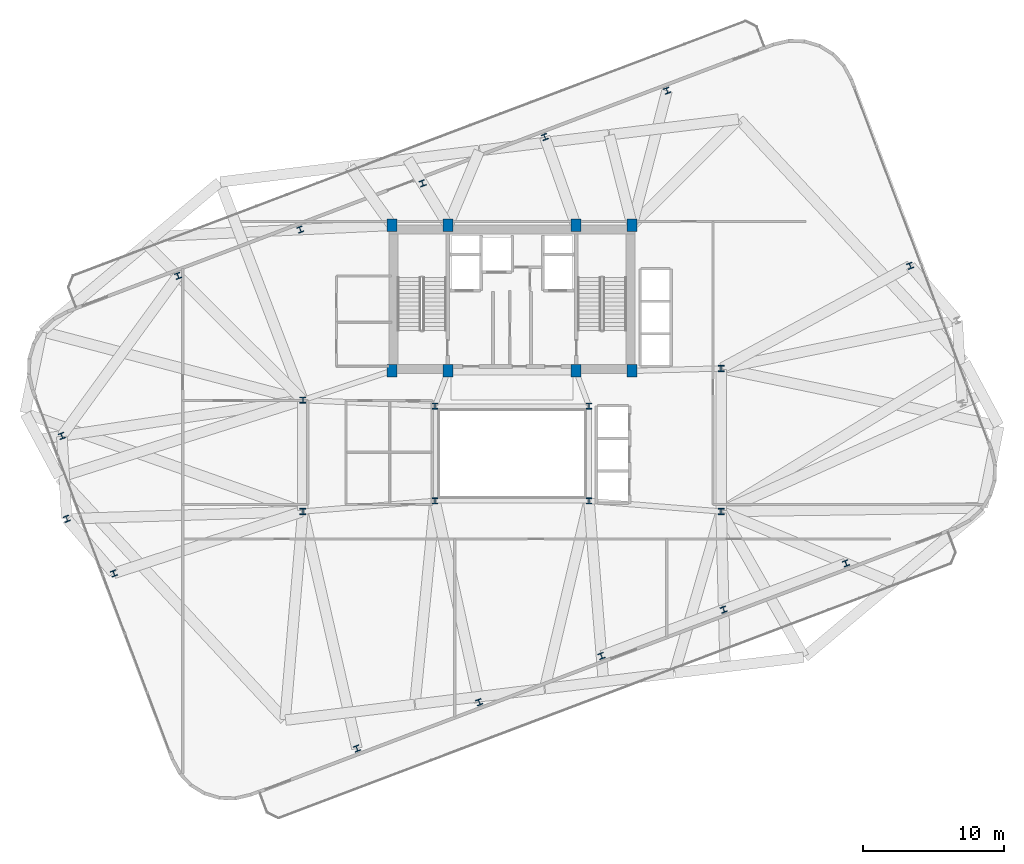
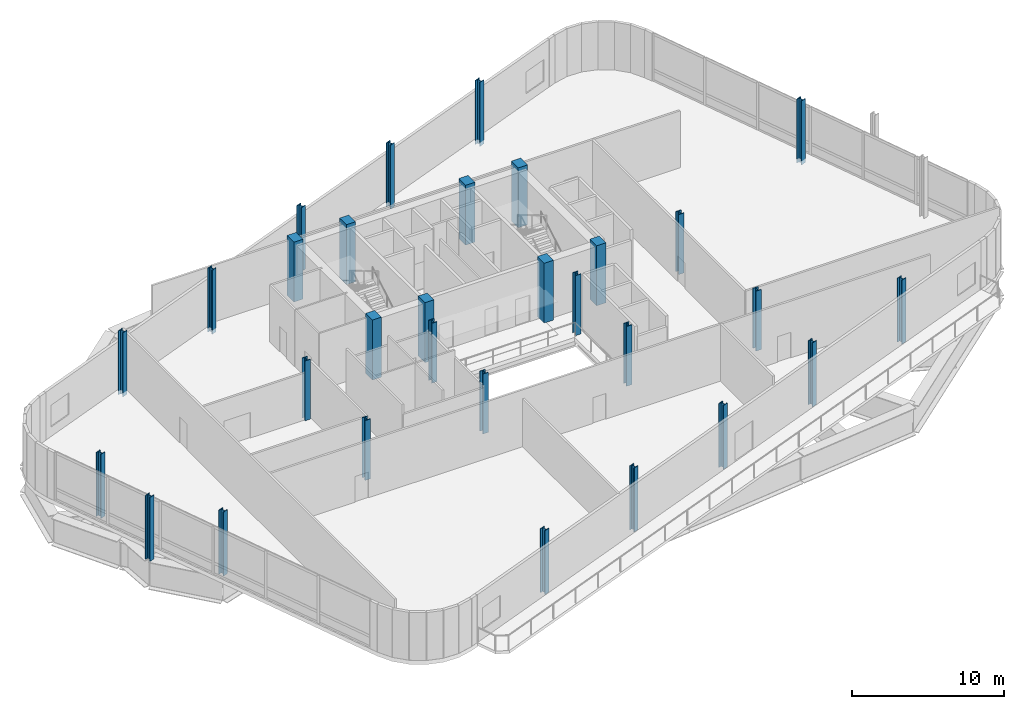
# One storey, part 1 of 19: 30 columns.
"""IFC4 building model written with IfcOpenShell, lengths in metres."""

from ifc_helpers import new_model, si_unit, direction, frame, origin, origin_2d, place, context, subcontext, project, spatial, rectangle, i_section, extrude, material, material_profile, profile_set, type_object, element, save


model = new_model("IFC4")

# Units and contexts
model_context = context("Model", 3, precision=1e-05, world=origin(), true_north=direction((0.0, 1.0)))
body_context = subcontext(model_context, "Body", "Model", "MODEL_VIEW")
ifc_project = project(units=[si_unit("LENGTHUNIT", "METRE"), si_unit("AREAUNIT", "SQUARE_METRE"), si_unit("VOLUMEUNIT", "CUBIC_METRE"), si_unit("PLANEANGLEUNIT", "RADIAN"), si_unit("MASSUNIT", "GRAM", prefix="KILO")], contexts=[model_context])

# Site, building, storey
site_placement = place(None, origin())
site = spatial("IfcSite", under=ifc_project, at=site_placement, CompositionType="ELEMENT")
building_placement = place(site_placement, origin())
building = spatial("IfcBuilding", under=site, at=building_placement, Name="Varnelok Gate Tower", CompositionType="ELEMENT")
storey_placement = place(building_placement, frame((0.0, 0.0, 207.89990234375)))
storey = spatial("IfcBuildingStorey", under=building, at=storey_placement, Name="L53", CompositionType="ELEMENT", Elevation=207.89990234375)

# Columns
ifc_material_1 = material(Name="Concrete C60/75", Category="concrete")
ifc_material_profile_1 = material_profile(ifc_material_1, rectangle(XDim=0.699951171875, YDim=0.89990234375, at=origin_2d()), Name="RC900X700")
ifc_profile_set_1 = profile_set([ifc_material_profile_1], Name="Concrete C60/75")
column_type_1 = type_object("IfcColumnType", Name="COL-RC900X700", PredefinedType="COLUMN", material=ifc_profile_set_1)
for number, where, z_axis, x_axis, name in (
    (1, (30.699951171875, 28.75, 0.0), (0.0, 0.0, 1.0), (1.0, 0.0, 0.0), "L53 Core Spine Column SC1"),
    (2, (34.679931640625, 28.75, 0.0), (0.0, 0.0, 1.0), (1.0, 0.0, 0.0), "L53 Core Spine Column SC2"),
    (3, (43.719970703125, 28.75, 0.0), (0.0, 0.0, 1.0), (1.0, 0.0, 0.0), "L53 Core Spine Column SC3"),
    (4, (47.699951171875, 28.75, 0.0), (0.0, 0.0, 1.0), (1.0, 0.0, 0.0), "L53 Core Spine Column SC4"),
    (5, (30.699951171875, 39.050048828125, 0.0), (0.0, 0.0, 1.0), (1.0, 0.0, 0.0), "L53 Core Spine Column SC5"),
    (6, (34.679931640625, 39.050048828125, 0.0), (0.0, 0.0, 1.0), (1.0, 0.0, 0.0), "L53 Core Spine Column SC6"),
    (7, (43.719970703125, 39.050048828125, 0.0), (0.0, 0.0, 1.0), (1.0, 0.0, 0.0), "L53 Core Spine Column SC7"),
    (8, (47.699951171875, 39.050048828125, 0.0), (0.0, 0.0, 1.0), (1.0, 0.0, 0.0), "L53 Core Spine Column SC8"),
):
    element("IfcColumn", number, at=place(storey_placement, frame(where, z_axis=z_axis, x_axis=x_axis)), inside=storey, type_object=column_type_1, Name=name, PredefinedType="COLUMN", context=body_context, shape_type="SweptSolid", body=[
        extrude(rectangle(XDim=0.699951171875, YDim=0.89990234375, at=origin_2d()), origin(), (0.0, 0.0, 1.0), 4.800048828125),
    ])
ifc_material_2 = material(Name="Structural Steel ASTM A992 Grade 50", Category="steel")
ifc_material_profile_2 = material_profile(ifc_material_2, i_section(OverallWidth=0.406005859375, OverallDepth=0.416015625, WebThickness=0.02978515625, FlangeThickness=0.048095703125, FilletRadius=0.02490234375, at=origin_2d()), Name="W14X257")
ifc_profile_set_2 = profile_set([ifc_material_profile_2], Name="Structural Steel ASTM A992 Grade 50")
column_type_2 = type_object("IfcColumnType", Name="COL-W14X257", PredefinedType="COLUMN", material=ifc_profile_set_2)
for number, where, z_axis, x_axis, name in (
    (9, (28.22900390625, 2.028076171875, -0.31982421875), (0.0, 0.0, 1.0), (0.935221751401, 0.354062530786, 0.0), "L53 B5 Perimeter Column PC01"),
    (10, (36.8798828125, 5.30322265625, -0.31982421875), (0.0, 0.0, 1.0), (0.935221751401, 0.354062530786, 0.0), "L53 B5 Perimeter Column PC02"),
    (11, (45.530517578125, 8.578125, -0.31982421875), (0.0, 0.0, 1.0), (0.935221751401, 0.354062530786, 0.0), "L53 B5 Perimeter Column PC03"),
    (12, (54.181396484375, 11.853271484375, -0.31982421875), (0.0, 0.0, 1.0), (0.935221751401, 0.354062530786, 0.0), "L53 B5 Perimeter Column PC04"),
    (13, (62.832275390625, 15.12841796875, -0.31982421875), (0.0, 0.0, 1.0), (0.935221751401, 0.354062530786, 0.0), "L53 B5 Perimeter Column PC05"),
    (14, (67.372802734375, 36.1796875, -0.31982421875), (0.0, 0.0, 1.0), (0.935221751401, 0.354062530786, 0.0), "L53 B5 Perimeter Column PC08"),
    (15, (50.1708984375, 48.572021484375, -0.31982421875), (0.0, 0.0, 1.0), (0.935221751401, 0.354062530786, 0.0), "L53 B5 Perimeter Column PC09"),
    (16, (41.520263671875, 45.296875, -0.31982421875), (0.0, 0.0, 1.0), (0.935221751401, 0.354062530786, 0.0), "L53 B5 Perimeter Column PC10"),
    (17, (32.869384765625, 42.021728515625, -0.31982421875), (0.0, 0.0, 1.0), (0.935221751401, 0.354062530786, 0.0), "L53 B5 Perimeter Column PC11"),
    (18, (24.218505859375, 38.74658203125, -0.31982421875), (0.0, 0.0, 1.0), (0.935221751401, 0.354062530786, 0.0), "L53 B5 Perimeter Column PC12"),
    (19, (15.56787109375, 35.4716796875, -0.31982421875), (0.0, 0.0, 1.0), (0.935221751401, 0.354062530786, 0.0), "L53 B5 Perimeter Column PC13"),
    (20, (7.344970703125, 24.146484375, -0.31982421875), (0.0, 0.0, 1.0), (0.935221751401, 0.354062530786, 0.0), "L53 B5 Perimeter Column PC14"),
    (21, (7.694580078125, 18.280517578125, -0.31982421875), (0.0, 0.0, 1.0), (0.935221751401, 0.354062530786, 0.0), "L53 B5 Perimeter Column PC15"),
    (22, (11.027099609375, 14.42041015625, -0.31982421875), (0.0, 0.0, 1.0), (0.935221751401, 0.354062530786, 0.0), "L53 B5 Perimeter Column PC16"),
):
    element("IfcColumn", number, at=place(storey_placement, frame(where, z_axis=z_axis, x_axis=x_axis)), inside=storey, type_object=column_type_2, Name=name, PredefinedType="COLUMN", context=body_context, shape_type="SweptSolid", body=[
        extrude(i_section(OverallWidth=0.406005859375, OverallDepth=0.416015625, WebThickness=0.02978515625, FlangeThickness=0.048095703125, FilletRadius=0.02490234375, at=origin_2d()), origin(), (0.0, 0.0, 1.0), 5.119873046875),
    ])
ifc_material_profile_3 = material_profile(ifc_material_2, i_section(OverallWidth=0.412109375, OverallDepth=0.43505859375, WebThickness=0.035888671875, FlangeThickness=0.057373046875, FilletRadius=0.02490234375, at=origin_2d()), Name="W14X311")
ifc_profile_set_3 = profile_set([ifc_material_profile_3], Name="Structural Steel ASTM A992 Grade 50")
column_type_3 = type_object("IfcColumnType", Name="COL-W14X311", PredefinedType="COLUMN", material=ifc_profile_set_3)
for number, where, z_axis, x_axis, name in (
    (23, (33.75, 19.550048828125, 0.0), (0.0, 0.0, 1.0), (1.0, 0.0, 0.0), "L53 Atrium Spine Column AC1"),
    (24, (44.64990234375, 19.550048828125, 0.0), (0.0, 0.0, 1.0), (1.0, 0.0, 0.0), "L53 Atrium Spine Column AC2"),
    (25, (33.75, 26.25, 0.0), (0.0, 0.0, 1.0), (1.0, 0.0, 0.0), "L53 Atrium Spine Column AC3"),
    (26, (44.64990234375, 26.25, 0.0), (0.0, 0.0, 1.0), (1.0, 0.0, 0.0), "L53 Atrium Spine Column AC4"),
    (27, (24.39990234375, 18.800048828125, 0.0), (0.0, 0.0, 1.0), (1.0, 0.0, 0.0), "L53 Wing Spine Column WS1"),
    (28, (24.39990234375, 26.679931640625, 0.0), (0.0, 0.0, 1.0), (1.0, 0.0, 0.0), "L53 Wing Spine Column WS2"),
    (29, (54.0, 18.800048828125, 0.0), (0.0, 0.0, 1.0), (1.0, 0.0, 0.0), "L53 Wing Spine Column ES1"),
    (30, (54.0, 28.919921875, 0.0), (0.0, 0.0, 1.0), (1.0, 0.0, 0.0), "L53 Wing Spine Column ES2"),
):
    element("IfcColumn", number, at=place(storey_placement, frame(where, z_axis=z_axis, x_axis=x_axis)), inside=storey, type_object=column_type_3, Name=name, PredefinedType="COLUMN", context=body_context, shape_type="SweptSolid", body=[
        extrude(i_section(OverallWidth=0.412109375, OverallDepth=0.43505859375, WebThickness=0.035888671875, FlangeThickness=0.057373046875, FilletRadius=0.02490234375, at=origin_2d()), origin(), (0.0, 0.0, 1.0), 4.800048828125),
    ])

save(model, "model.ifc")
